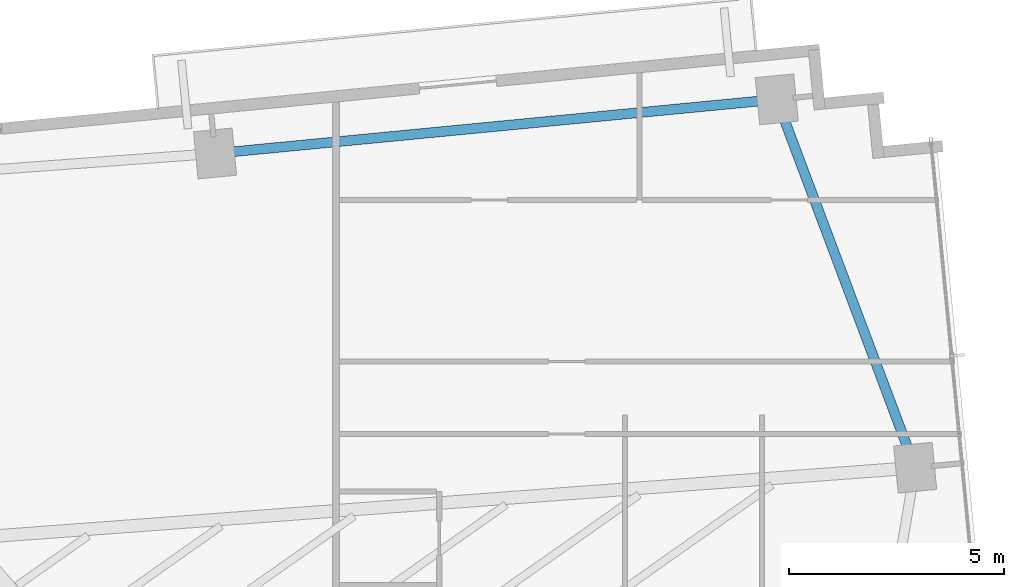
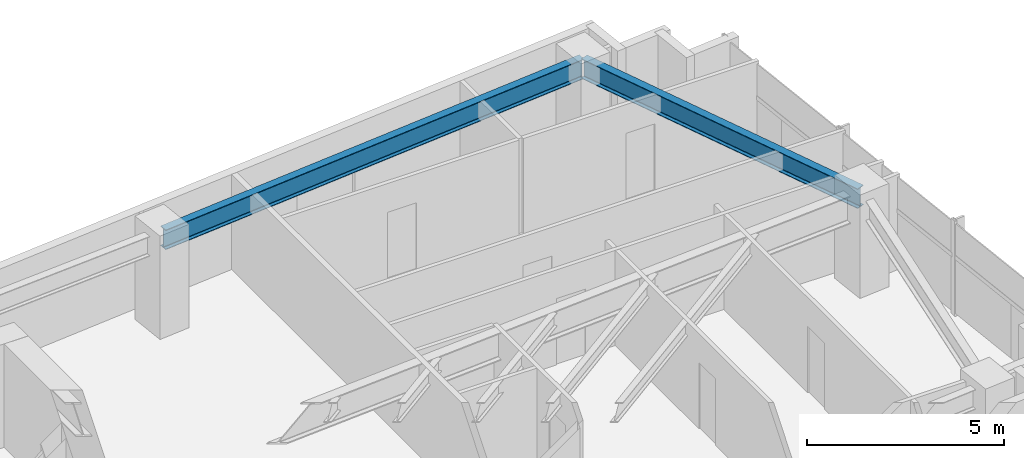
# One storey, part 16 of 25: 2 beams.
"""IFC4 building model written with IfcOpenShell, lengths in metres."""

from ifc_helpers import new_model, si_unit, direction, frame, origin, origin_2d, place, context, subcontext, project, spatial, i_section, extrude, source, transform, mapped, material, material_profile, profile_set, type_object, type_shapes, element, save


model = new_model("IFC4")

# Units and contexts
model_context = context("Model", 3, precision=1e-05, world=origin(), true_north=direction((0.0, 1.0)))
body_context = subcontext(model_context, "Body", "Model", "MODEL_VIEW")
ifc_project = project(units=[si_unit("LENGTHUNIT", "METRE"), si_unit("AREAUNIT", "SQUARE_METRE"), si_unit("VOLUMEUNIT", "CUBIC_METRE"), si_unit("PLANEANGLEUNIT", "RADIAN"), si_unit("MASSUNIT", "GRAM", prefix="KILO")], contexts=[model_context])

# Site, building, storey
site_placement = place(None, origin())
site = spatial("IfcSite", under=ifc_project, at=site_placement, CompositionType="ELEMENT")
building_placement = place(site_placement, origin())
building = spatial("IfcBuilding", under=site, at=building_placement, Name="Astriad Promenade Condominiums", CompositionType="ELEMENT")
storey_placement = place(building_placement, frame((0.0, 0.0, 77.800048828125)))
storey = spatial("IfcBuildingStorey", under=building, at=storey_placement, Name="L21", CompositionType="ELEMENT", Elevation=77.800048828125)

# Beams
ifc_material = material(Name="Steel ASTM A992 Grade 50", Category="steel")
ifc_material_profile = material_profile(ifc_material, i_section(OverallWidth=0.22900390625, OverallDepth=0.612060546875, WebThickness=0.011962890625, FlangeThickness=0.01953125, FilletRadius=0.017822265625, at=origin_2d()), Name="W24X84")
ifc_profile_set = profile_set([ifc_material_profile], Name="Steel ASTM A992 Grade 50")
beam_type = type_object("IfcBeamType", Name="STEEL SPANDREL BEAM W24X84", PredefinedType="SPANDREL", material=ifc_profile_set)
shared_shape_1 = source(origin(), body_context, "Body", "SweptSolid", [
    extrude(i_section(OverallWidth=0.22900390625, OverallDepth=0.612060546875, WebThickness=0.011962890625, FlangeThickness=0.01953125, FilletRadius=0.017822265625, at=origin_2d()), origin(), (0.0, 0.0, 1.0), 13.020263671875),
])
beam_1_placement = place(storey_placement, frame((64.394287109375, 27.5869140625, 2.6337890625), z_axis=(-0.995395311238, -0.095854965264, 0.0), x_axis=(0.095854965264, -0.995395311238, 0.0)))
element("IfcBeam", 1, at=beam_1_placement, inside=storey, type_object=beam_type, Name="Perimeter Spandrel Beam SP-N4-L21", PredefinedType="SPANDREL", context=body_context, shape_type="MappedRepresentation", body=[
    mapped(shared_shape_1, transform((0.0, 0.0, 0.0), scale=1.0)),
])
shared_shape_2 = source(origin(), body_context, "Body", "SweptSolid", [
    extrude(i_section(OverallWidth=0.22900390625, OverallDepth=0.612060546875, WebThickness=0.011962890625, FlangeThickness=0.01953125, FilletRadius=0.017822265625, at=origin_2d()), origin(), (0.0, 0.0, 1.0), 9.0556640625),
])
type_shapes(beam_type, [shared_shape_1, shared_shape_2])
beam_2_placement = place(storey_placement, frame((67.63427734375, 19.07666015625, 2.6337890625), z_axis=(-0.351856057459, 0.936054119605, 0.0), x_axis=(-0.936054119605, -0.351856057459, 0.0)))
element("IfcBeam", 2, at=beam_2_placement, inside=storey, type_object=beam_type, Name="Perimeter Spandrel Beam SP-E2-L21", PredefinedType="SPANDREL", context=body_context, shape_type="MappedRepresentation", body=[
    mapped(shared_shape_2, transform((0.0, 0.0, 0.0), scale=1.0)),
])

save(model, "model.ifc")
